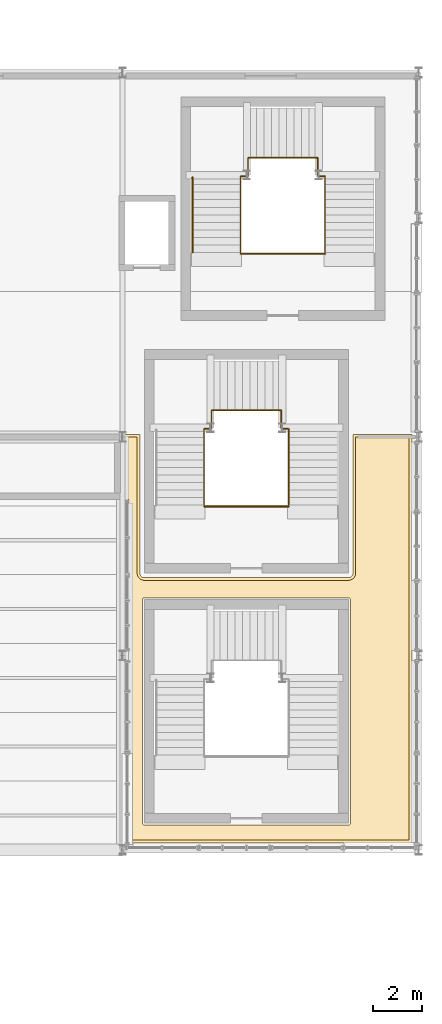
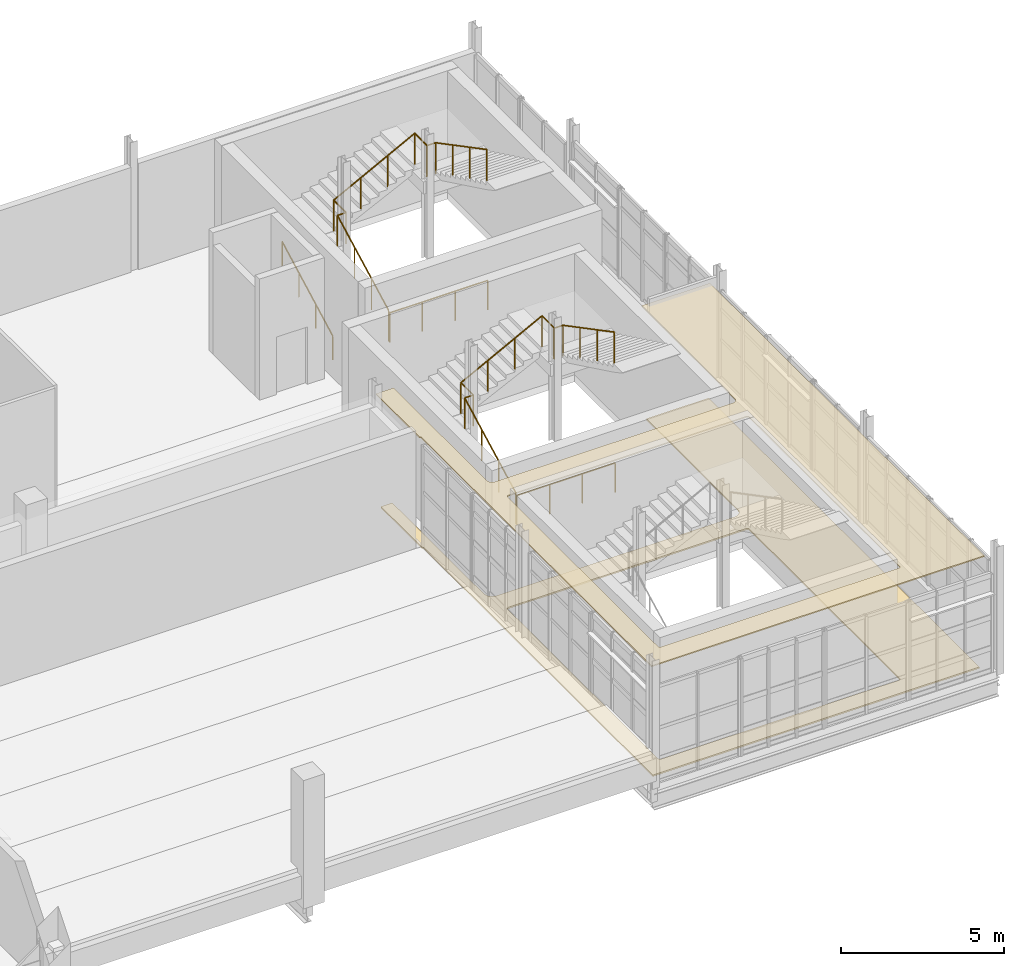
# One storey, part 100 of 100: 5 railings, 2 coverings.
"""IFC4 building model written with IfcOpenShell, lengths in metres."""

from ifc_helpers import new_model, si_unit, derived_unit, direction, frame, origin, origin_2d, place, context, subcontext, project, spatial, polyline, circle, outline, extrude, material, layer, layer_set, type_object, element, save


model = new_model("IFC4")

# Units and contexts
model_context = context("Model", 3, precision=1e-05, world=origin(), true_north=direction((0.0, 1.0)))
body_context = subcontext(model_context, "Body", "Model", "MODEL_VIEW")
ifc_project = project(units=[si_unit("LENGTHUNIT", "METRE"), si_unit("AREAUNIT", "SQUARE_METRE"), si_unit("VOLUMEUNIT", "CUBIC_METRE"), si_unit("PLANEANGLEUNIT", "RADIAN"), si_unit("MASSUNIT", "GRAM", prefix="KILO"), derived_unit("THERMALTRANSMITTANCEUNIT", [(si_unit("POWERUNIT", "WATT"), 1), (si_unit("LENGTHUNIT", "METRE"), -2), (si_unit("THERMODYNAMICTEMPERATUREUNIT", "KELVIN"), -1)])], contexts=[model_context])

# Site, building, storey
site_placement = place(None, origin())
site = spatial("IfcSite", under=ifc_project, at=site_placement, CompositionType="ELEMENT")
building_placement = place(site_placement, origin())
building = spatial("IfcBuilding", under=site, at=building_placement, Name="Nallur Shell Playhouse", CompositionType="ELEMENT")
storey_placement = place(building_placement, frame((0.0, 0.0, 10.199951171875)))
storey = spatial("IfcBuildingStorey", under=building, at=storey_placement, Name="L03", CompositionType="ELEMENT", Elevation=10.199951171875)

# Coverings
ifc_material_1 = material(Name="Micro-Perforated Teak Veneer Acoustic Baffle Ceiling")
ifc_layer_1 = layer(ifc_material_1, 0.044921875)
ifc_layer_set_1 = layer_set([ifc_layer_1], Name="Micro-Perforated Teak Veneer Acoustic Baffle Ceiling")
covering_type_1 = type_object("IfcCoveringType", Name="CV-CEIL-AC1", PredefinedType="CEILING", material=ifc_layer_set_1)
covering_1_placement = place(storey_placement, frame((0.0, 0.0, 4.205078125)))
element("IfcCovering", 1, at=covering_1_placement, inside=storey, type_object=covering_type_1, Name="Youth Drama & Playwriting Workshop suspended acoustic ceiling", PredefinedType="CEILING", context=body_context, shape_type="SweptSolid", body=[
    extrude(outline(polyline([(147.72314453125, 38.4189453125), (147.68994140625, 38.455810546875), (147.68994140625, 41.110107421875), (148.31005859375, 41.110107421875), (148.31005859375, 35.401123046875), (148.31005859375, 35.39892578125), (148.310791015625, 35.38330078125), (148.311279296875, 35.37890625), (148.313232421875, 35.364990234375), (148.314208984375, 35.36083984375), (148.3173828125, 35.347412109375), (148.31884765625, 35.34326171875), (148.323974609375, 35.3291015625), (148.325439453125, 35.324951171875), (148.33154296875, 35.312255859375), (148.33349609375, 35.308349609375), (148.3408203125, 35.29638671875), (148.34326171875, 35.292724609375), (148.351806640625, 35.28125), (148.354736328125, 35.277587890625), (148.3642578125, 35.26708984375), (148.3671875, 35.26416015625), (148.377685546875, 35.2548828125), (148.38134765625, 35.251953125), (148.392822265625, 35.2431640625), (148.396484375, 35.24072265625), (148.408447265625, 35.233642578125), (148.412353515625, 35.231689453125), (148.425048828125, 35.2255859375), (148.428955078125, 35.223876953125), (148.443115234375, 35.218994140625), (148.447509765625, 35.217529296875), (148.460693359375, 35.214111328125), (148.465087890625, 35.21337890625), (148.47900390625, 35.211181640625), (148.4833984375, 35.210693359375), (148.4990234375, 35.2099609375), (148.501220703125, 35.2099609375), (156.89892578125, 35.2099609375), (156.90087890625, 35.2099609375), (156.916748046875, 35.210693359375), (156.921142578125, 35.211181640625), (156.934814453125, 35.21337890625), (156.939208984375, 35.214111328125), (156.95263671875, 35.217529296875), (156.956787109375, 35.218994140625), (156.970947265625, 35.223876953125), (156.97509765625, 35.2255859375), (156.98779296875, 35.231689453125), (156.99169921875, 35.233642578125), (157.00341796875, 35.24072265625), (157.007080078125, 35.2431640625), (157.018798828125, 35.251953125), (157.022216796875, 35.2548828125), (157.03271484375, 35.26416015625), (157.035888671875, 35.26708984375), (157.045166015625, 35.277587890625), (157.048095703125, 35.28125), (157.056884765625, 35.292724609375), (157.05908203125, 35.29638671875), (157.06640625, 35.308349609375), (157.068359375, 35.312255859375), (157.074462890625, 35.324951171875), (157.076171875, 35.3291015625), (157.0810546875, 35.34326171875), (157.08251953125, 35.347412109375), (157.085693359375, 35.36083984375), (157.086669921875, 35.364990234375), (157.088623046875, 35.37890625), (157.089111328125, 35.38330078125), (157.090087890625, 35.39892578125), (157.090087890625, 35.401123046875), (157.090087890625, 41.110107421875), (159.510009765625, 41.110107421875), (159.510009765625, 24.2900390625), (147.72998046875, 24.2900390625), (147.72998046875, 38.397216796875), (147.729736328125, 38.40283203125), (147.729248046875, 38.406005859375), (147.728515625, 38.40869140625), (147.7275390625, 38.41162109375), (147.726318359375, 38.414306640625), (147.72509765625, 38.41650390625), (147.72314453125, 38.4189453125)]), holes=[polyline([(156.91552734375, 25.021484375), (156.923095703125, 25.0234375), (156.9306640625, 25.026123046875), (156.937744140625, 25.029296875), (156.9443359375, 25.033447265625), (156.95068359375, 25.0380859375), (156.95654296875, 25.04345703125), (156.9619140625, 25.04931640625), (156.966552734375, 25.0556640625), (156.970703125, 25.062255859375), (156.973876953125, 25.0693359375), (156.9765625, 25.076904296875), (156.978515625, 25.08447265625), (156.9794921875, 25.09228515625), (156.97998046875, 25.10009765625), (156.97998046875, 34.300048828125), (156.9794921875, 34.307861328125), (156.978515625, 34.315673828125), (156.9765625, 34.3232421875), (156.973876953125, 34.33056640625), (156.970703125, 34.337646484375), (156.966552734375, 34.344482421875), (156.9619140625, 34.350830078125), (156.95654296875, 34.356689453125), (156.95068359375, 34.36181640625), (156.9443359375, 34.366455078125), (156.937744140625, 34.37060546875), (156.9306640625, 34.373779296875), (156.923095703125, 34.376708984375), (156.91552734375, 34.37841796875), (156.90771484375, 34.379638671875), (156.89990234375, 34.3798828125), (148.5, 34.3798828125), (148.4921875, 34.379638671875), (148.484375, 34.37841796875), (148.476806640625, 34.376708984375), (148.469482421875, 34.373779296875), (148.46240234375, 34.37060546875), (148.45556640625, 34.366455078125), (148.44921875, 34.36181640625), (148.443359375, 34.356689453125), (148.438232421875, 34.350830078125), (148.43359375, 34.344482421875), (148.429443359375, 34.337646484375), (148.426025390625, 34.33056640625), (148.42333984375, 34.3232421875), (148.42138671875, 34.315673828125), (148.42041015625, 34.307861328125), (148.419921875, 34.300048828125), (148.419921875, 25.10009765625), (148.42041015625, 25.09228515625), (148.42138671875, 25.08447265625), (148.42333984375, 25.076904296875), (148.426025390625, 25.0693359375), (148.429443359375, 25.062255859375), (148.43359375, 25.0556640625), (148.438232421875, 25.04931640625), (148.443359375, 25.04345703125), (148.44921875, 25.0380859375), (148.45556640625, 25.033447265625), (148.46240234375, 25.029296875), (148.469482421875, 25.026123046875), (148.476806640625, 25.0234375), (148.484375, 25.021484375), (148.4921875, 25.0205078125), (148.5, 25.02001953125), (156.89990234375, 25.02001953125), (156.90771484375, 25.0205078125), (156.91552734375, 25.021484375)])]), origin(), (0.0, 0.0, 1.0), 0.044921875),
])
ifc_material_2 = material(Name="Sprung Semi-Resilient Stage & Dance Hardwood Flooring", Category="wood")
ifc_layer_2 = layer(ifc_material_2, 0.054931640625)
ifc_layer_set_2 = layer_set([ifc_layer_2], Name="Sprung Semi-Resilient Stage & Dance Hardwood Flooring")
covering_type_2 = type_object("IfcCoveringType", Name="CV-FLOR-TIMBER", PredefinedType="FLOORING", material=ifc_layer_set_2)
covering_2_placement = place(storey_placement, origin())
element("IfcCovering", 2, at=covering_2_placement, inside=storey, type_object=covering_type_2, Name="Youth Drama & Playwriting Workshop floor finish", PredefinedType="FLOORING", context=body_context, shape_type="SweptSolid", body=[
    extrude(outline(polyline([(147.80810546875, 38.48876953125), (147.800048828125, 38.497802734375), (147.800048828125, 41.0), (148.199951171875, 41.0), (148.199951171875, 35.39990234375), (148.2001953125, 35.39501953125), (148.201171875, 35.37548828125), (148.201904296875, 35.36572265625), (148.204833984375, 35.34619140625), (148.206787109375, 35.336669921875), (148.211669921875, 35.317626953125), (148.214599609375, 35.308349609375), (148.22119140625, 35.289794921875), (148.224853515625, 35.28076171875), (148.233154296875, 35.262939453125), (148.23779296875, 35.25439453125), (148.247802734375, 35.237548828125), (148.25341796875, 35.229248046875), (148.26513671875, 35.213623046875), (148.271240234375, 35.2060546875), (148.284423828125, 35.19140625), (148.29150390625, 35.1845703125), (148.305908203125, 35.17138671875), (148.313720703125, 35.1650390625), (148.329345703125, 35.1533203125), (148.33740234375, 35.14794921875), (148.354248046875, 35.1376953125), (148.363037109375, 35.13330078125), (148.380615234375, 35.124755859375), (148.389892578125, 35.12109375), (148.408203125, 35.114501953125), (148.41748046875, 35.111572265625), (148.436767578125, 35.106689453125), (148.4462890625, 35.10498046875), (148.4658203125, 35.10205078125), (148.4755859375, 35.10107421875), (148.4951171875, 35.10009765625), (148.5, 35.10009765625), (156.89990234375, 35.10009765625), (156.90478515625, 35.10009765625), (156.924560546875, 35.10107421875), (156.934326171875, 35.10205078125), (156.95361328125, 35.10498046875), (156.96337890625, 35.106689453125), (156.982421875, 35.111572265625), (156.99169921875, 35.114501953125), (157.01025390625, 35.12109375), (157.019287109375, 35.124755859375), (157.037109375, 35.13330078125), (157.045654296875, 35.1376953125), (157.0625, 35.14794921875), (157.07080078125, 35.1533203125), (157.08642578125, 35.1650390625), (157.093994140625, 35.17138671875), (157.108642578125, 35.1845703125), (157.115478515625, 35.19140625), (157.128662109375, 35.2060546875), (157.135009765625, 35.213623046875), (157.146484375, 35.229248046875), (157.152099609375, 35.237548828125), (157.162109375, 35.25439453125), (157.166748046875, 35.262939453125), (157.17529296875, 35.28076171875), (157.178955078125, 35.289794921875), (157.185546875, 35.308349609375), (157.1884765625, 35.317626953125), (157.193115234375, 35.336669921875), (157.195068359375, 35.34619140625), (157.197998046875, 35.36572265625), (157.198974609375, 35.37548828125), (157.199951171875, 35.39501953125), (157.199951171875, 35.39990234375), (157.199951171875, 41.0), (159.39990234375, 41.0), (159.39990234375, 24.39990234375), (147.840087890625, 24.39990234375), (147.840087890625, 38.39990234375), (147.83935546875, 38.413818359375), (147.83740234375, 38.42724609375), (147.833984375, 38.440673828125), (147.829345703125, 38.45361328125), (147.823486328125, 38.466064453125), (147.81640625, 38.477783203125), (147.80810546875, 38.48876953125)]), holes=[polyline([(156.91552734375, 25.021484375), (156.923095703125, 25.0234375), (156.9306640625, 25.026123046875), (156.937744140625, 25.029296875), (156.9443359375, 25.033447265625), (156.95068359375, 25.0380859375), (156.95654296875, 25.04345703125), (156.9619140625, 25.04931640625), (156.966552734375, 25.0556640625), (156.970703125, 25.062255859375), (156.973876953125, 25.0693359375), (156.9765625, 25.076904296875), (156.978515625, 25.08447265625), (156.9794921875, 25.09228515625), (156.97998046875, 25.10009765625), (156.97998046875, 34.300048828125), (156.9794921875, 34.307861328125), (156.978515625, 34.315673828125), (156.9765625, 34.3232421875), (156.973876953125, 34.33056640625), (156.970703125, 34.337646484375), (156.966552734375, 34.344482421875), (156.9619140625, 34.350830078125), (156.95654296875, 34.356689453125), (156.95068359375, 34.36181640625), (156.9443359375, 34.366455078125), (156.937744140625, 34.37060546875), (156.9306640625, 34.373779296875), (156.923095703125, 34.376708984375), (156.91552734375, 34.37841796875), (156.90771484375, 34.379638671875), (156.89990234375, 34.3798828125), (148.5, 34.3798828125), (148.4921875, 34.379638671875), (148.484375, 34.37841796875), (148.476806640625, 34.376708984375), (148.469482421875, 34.373779296875), (148.46240234375, 34.37060546875), (148.45556640625, 34.366455078125), (148.44921875, 34.36181640625), (148.443359375, 34.356689453125), (148.438232421875, 34.350830078125), (148.43359375, 34.344482421875), (148.429443359375, 34.337646484375), (148.426025390625, 34.33056640625), (148.42333984375, 34.3232421875), (148.42138671875, 34.315673828125), (148.42041015625, 34.307861328125), (148.419921875, 34.300048828125), (148.419921875, 25.10009765625), (148.42041015625, 25.09228515625), (148.42138671875, 25.08447265625), (148.42333984375, 25.076904296875), (148.426025390625, 25.0693359375), (148.429443359375, 25.062255859375), (148.43359375, 25.0556640625), (148.438232421875, 25.04931640625), (148.443359375, 25.04345703125), (148.44921875, 25.0380859375), (148.45556640625, 25.033447265625), (148.46240234375, 25.029296875), (148.469482421875, 25.026123046875), (148.476806640625, 25.0234375), (148.484375, 25.021484375), (148.4921875, 25.0205078125), (148.5, 25.02001953125), (156.89990234375, 25.02001953125), (156.90771484375, 25.0205078125), (156.91552734375, 25.021484375)])]), origin(), (0.0, 0.0, 1.0), 0.054931640625),
])

# Railings
ifc_material_3 = material(Name="Brushed Stainless Steel 316 Balustrade & Toughened Infill", Category="steel")
railing_type_1 = type_object("IfcRailingType", Name="RL-GUARD-1100", PredefinedType="BALUSTRADE", material=ifc_material_3)
railing_1_placement = place(storey_placement, frame((152.4599609375, 48.60009765625, 0.0)))
element("IfcRailing", 3, at=railing_1_placement, inside=storey, type_object=railing_type_1, Name="Stair ST-05-L03 inner open-well guard", PredefinedType="BALUSTRADE", context=body_context, shape_type="SweptSolid", body=[
    extrude(circle(Radius=0.02392578125, at=origin_2d()), frame((0.0, 0.0, 1.15576171875), z_axis=(0.0, 0.885200240898, 0.465210203579), x_axis=(-1.0, 0.0, 0.0)), (0.0, 0.0, 1.0), 3.547119140625),
    extrude(circle(Radius=0.02392578125, at=origin_2d()), frame((0.0, 3.139892578125, 2.80615234375), z_axis=(1.0, 0.0, 0.0), x_axis=(0.0, 1.0, 0.0)), (0.0, 0.0, 1.0), 0.304931640625),
    extrude(circle(Radius=0.02392578125, at=origin_2d()), frame((0.304931640625, 3.139892578125, 2.80615234375), z_axis=(0.0, 1.0, 0.0), x_axis=(-1.0, 0.0, 0.0)), (0.0, 0.0, 1.0), 0.760009765625),
    extrude(circle(Radius=0.02392578125, at=origin_2d()), frame((0.304931640625, 3.89990234375, 2.80615234375), z_axis=(0.886262018935, 0.0, 0.463184233101), x_axis=(0.0, 1.0, 0.0)), (0.0, 0.0, 1.0), 3.238525390625),
    extrude(circle(Radius=0.02392578125, at=origin_2d()), frame((3.175048828125, 3.89990234375, 4.30615234375), z_axis=(0.0, -1.0, 0.0), x_axis=(1.0, 0.0, 0.0)), (0.0, 0.0, 1.0), 0.760009765625),
    extrude(circle(Radius=0.02392578125, at=origin_2d()), frame((3.175048828125, 3.139892578125, 4.30615234375), z_axis=(1.0, 0.0, 0.0), x_axis=(0.0, 1.0, 0.0)), (0.0, 0.0, 1.0), 0.304931640625),
    extrude(circle(Radius=0.02392578125, at=origin_2d()), frame((3.47998046875, 3.139892578125, 4.30615234375), z_axis=(0.0, -0.885228583928, 0.465156268578), x_axis=(1.0, 0.0, 0.0)), (0.0, 0.0, 1.0), 3.546875),
    extrude(circle(Radius=0.02099609375, at=origin_2d()), origin(), (0.0, 0.0, 1.0), 1.1318359375),
    extrude(circle(Radius=0.02099609375, at=origin_2d()), frame((0.0, 1.046630859375, 0.550048828125)), (0.0, 0.0, 1.0), 1.1318359375),
    extrude(circle(Radius=0.02099609375, at=origin_2d()), frame((0.0, 2.09326171875, 1.10009765625)), (0.0, 0.0, 1.0), 1.1318359375),
    extrude(circle(Radius=0.02099609375, at=origin_2d()), frame((0.0, 3.139892578125, 1.650146484375)), (0.0, 0.0, 1.0), 1.1318359375),
    extrude(circle(Radius=0.02099609375, at=origin_2d()), frame((0.304931640625, 3.139892578125, 1.650146484375)), (0.0, 0.0, 1.0), 1.1318359375),
    extrude(circle(Radius=0.02099609375, at=origin_2d()), frame((0.304931640625, 3.89990234375, 1.650146484375)), (0.0, 0.0, 1.0), 1.1318359375),
    extrude(circle(Radius=0.02099609375, at=origin_2d()), frame((1.26171875, 3.89990234375, 2.150146484375)), (0.0, 0.0, 1.0), 1.1318359375),
    extrude(circle(Radius=0.02099609375, at=origin_2d()), frame((2.21826171875, 3.89990234375, 2.650146484375)), (0.0, 0.0, 1.0), 1.1318359375),
    extrude(circle(Radius=0.02099609375, at=origin_2d()), frame((3.175048828125, 3.89990234375, 3.150146484375)), (0.0, 0.0, 1.0), 1.1318359375),
    extrude(circle(Radius=0.02099609375, at=origin_2d()), frame((3.175048828125, 3.139892578125, 3.150146484375)), (0.0, 0.0, 1.0), 1.1318359375),
    extrude(circle(Radius=0.02099609375, at=origin_2d()), frame((3.47998046875, 3.139892578125, 3.150146484375)), (0.0, 0.0, 1.0), 1.1318359375),
    extrude(circle(Radius=0.02099609375, at=origin_2d()), frame((3.47998046875, 2.09326171875, 3.7001953125)), (0.0, 0.0, 1.0), 1.1318359375),
    extrude(circle(Radius=0.02099609375, at=origin_2d()), frame((3.47998046875, 1.046630859375, 4.25)), (0.0, 0.0, 1.0), 1.1318359375),
    extrude(circle(Radius=0.02099609375, at=origin_2d()), frame((3.47998046875, 0.0, 4.800048828125)), (0.0, 0.0, 1.0), 1.1318359375),
])
railing_2_placement = place(storey_placement, frame((152.4599609375, 48.5400390625, 0.0)))
element("IfcRailing", 4, at=railing_2_placement, inside=storey, type_object=railing_type_1, Name="Stair ST-05-L03 floor-well guard", PredefinedType="BALUSTRADE", context=body_context, shape_type="SweptSolid", body=[
    extrude(circle(Radius=0.02392578125, at=origin_2d()), frame((0.0, 0.0, 1.09619140625), z_axis=(1.0, 0.0, 0.0), x_axis=(0.0, 1.0, 0.0)), (0.0, 0.0, 1.0), 3.47998046875),
    extrude(circle(Radius=0.02099609375, at=origin_2d()), origin(), (0.0, 0.0, 1.0), 1.072021484375),
    extrude(circle(Radius=0.02099609375, at=origin_2d()), frame((1.159912109375, 0.0, 0.0)), (0.0, 0.0, 1.0), 1.072021484375),
    extrude(circle(Radius=0.02099609375, at=origin_2d()), frame((2.320068359375, 0.0, 0.0)), (0.0, 0.0, 1.0), 1.072021484375),
    extrude(circle(Radius=0.02099609375, at=origin_2d()), frame((3.47998046875, 0.0, 0.0)), (0.0, 0.0, 1.0), 1.072021484375),
])
railing_3_placement = place(storey_placement, frame((150.9599609375, 38.199951171875, 0.0)))
element("IfcRailing", 5, at=railing_3_placement, inside=storey, type_object=railing_type_1, Name="Stair ST-09-L03 inner open-well guard", PredefinedType="BALUSTRADE", context=body_context, shape_type="SweptSolid", body=[
    extrude(circle(Radius=0.02392578125, at=origin_2d()), frame((0.0, 0.0, 1.15576171875), z_axis=(0.0, 0.885215135385, 0.465181861302), x_axis=(-1.0, 0.0, 0.0)), (0.0, 0.0, 1.0), 3.54736328125),
    extrude(circle(Radius=0.02392578125, at=origin_2d()), frame((0.0, 3.14013671875, 2.80615234375), z_axis=(1.0, 0.0, 0.0), x_axis=(0.0, 1.0, 0.0)), (0.0, 0.0, 1.0), 0.304931640625),
    extrude(circle(Radius=0.02392578125, at=origin_2d()), frame((0.304931640625, 3.14013671875, 2.80615234375), z_axis=(0.0, 1.0, 0.0), x_axis=(-1.0, 0.0, 0.0)), (0.0, 0.0, 1.0), 0.760009765625),
    extrude(circle(Radius=0.02392578125, at=origin_2d()), frame((0.304931640625, 3.900146484375, 2.80615234375), z_axis=(0.886262018935, 0.0, 0.463184233101), x_axis=(0.0, 1.0, 0.0)), (0.0, 0.0, 1.0), 3.238525390625),
    extrude(circle(Radius=0.02392578125, at=origin_2d()), frame((3.175048828125, 3.900146484375, 4.30615234375), z_axis=(0.0, -1.0, 0.0), x_axis=(1.0, 0.0, 0.0)), (0.0, 0.0, 1.0), 0.760009765625),
    extrude(circle(Radius=0.02392578125, at=origin_2d()), frame((3.175048828125, 3.14013671875, 4.30615234375), z_axis=(1.0, 0.0, 0.0), x_axis=(0.0, 1.0, 0.0)), (0.0, 0.0, 1.0), 0.304931640625),
    extrude(circle(Radius=0.02392578125, at=origin_2d()), frame((3.47998046875, 3.14013671875, 4.30615234375), z_axis=(0.0, -0.885243475438, 0.465127927773), x_axis=(1.0, 0.0, 0.0)), (0.0, 0.0, 1.0), 3.547119140625),
    extrude(circle(Radius=0.02099609375, at=origin_2d()), origin(), (0.0, 0.0, 1.0), 1.1318359375),
    extrude(circle(Radius=0.02099609375, at=origin_2d()), frame((0.0, 1.046630859375, 0.550048828125)), (0.0, 0.0, 1.0), 1.1318359375),
    extrude(circle(Radius=0.02099609375, at=origin_2d()), frame((0.0, 2.093505859375, 1.10009765625)), (0.0, 0.0, 1.0), 1.1318359375),
    extrude(circle(Radius=0.02099609375, at=origin_2d()), frame((0.0, 3.14013671875, 1.650146484375)), (0.0, 0.0, 1.0), 1.1318359375),
    extrude(circle(Radius=0.02099609375, at=origin_2d()), frame((0.304931640625, 3.14013671875, 1.650146484375)), (0.0, 0.0, 1.0), 1.1318359375),
    extrude(circle(Radius=0.02099609375, at=origin_2d()), frame((0.304931640625, 3.900146484375, 1.650146484375)), (0.0, 0.0, 1.0), 1.1318359375),
    extrude(circle(Radius=0.02099609375, at=origin_2d()), frame((1.26171875, 3.900146484375, 2.150146484375)), (0.0, 0.0, 1.0), 1.1318359375),
    extrude(circle(Radius=0.02099609375, at=origin_2d()), frame((2.21826171875, 3.900146484375, 2.650146484375)), (0.0, 0.0, 1.0), 1.1318359375),
    extrude(circle(Radius=0.02099609375, at=origin_2d()), frame((3.175048828125, 3.900146484375, 3.150146484375)), (0.0, 0.0, 1.0), 1.1318359375),
    extrude(circle(Radius=0.02099609375, at=origin_2d()), frame((3.175048828125, 3.14013671875, 3.150146484375)), (0.0, 0.0, 1.0), 1.1318359375),
    extrude(circle(Radius=0.02099609375, at=origin_2d()), frame((3.47998046875, 3.14013671875, 3.150146484375)), (0.0, 0.0, 1.0), 1.1318359375),
    extrude(circle(Radius=0.02099609375, at=origin_2d()), frame((3.47998046875, 2.093505859375, 3.7001953125)), (0.0, 0.0, 1.0), 1.1318359375),
    extrude(circle(Radius=0.02099609375, at=origin_2d()), frame((3.47998046875, 1.046630859375, 4.25)), (0.0, 0.0, 1.0), 1.1318359375),
    extrude(circle(Radius=0.02099609375, at=origin_2d()), frame((3.47998046875, 0.0, 4.800048828125)), (0.0, 0.0, 1.0), 1.1318359375),
])
railing_4_placement = place(storey_placement, frame((150.9599609375, 38.139892578125, 0.0)))
element("IfcRailing", 6, at=railing_4_placement, inside=storey, type_object=railing_type_1, Name="Stair ST-09-L03 floor-well guard", PredefinedType="BALUSTRADE", context=body_context, shape_type="SweptSolid", body=[
    extrude(circle(Radius=0.02392578125, at=origin_2d()), frame((0.0, 0.0, 1.09619140625), z_axis=(1.0, 0.0, 0.0), x_axis=(0.0, 1.0, 0.0)), (0.0, 0.0, 1.0), 3.47998046875),
    extrude(circle(Radius=0.02099609375, at=origin_2d()), origin(), (0.0, 0.0, 1.0), 1.072021484375),
    extrude(circle(Radius=0.02099609375, at=origin_2d()), frame((1.159912109375, 0.0, 0.0)), (0.0, 0.0, 1.0), 1.072021484375),
    extrude(circle(Radius=0.02099609375, at=origin_2d()), frame((2.320068359375, 0.0, 0.0)), (0.0, 0.0, 1.0), 1.072021484375),
    extrude(circle(Radius=0.02099609375, at=origin_2d()), frame((3.47998046875, 0.0, 0.0)), (0.0, 0.0, 1.0), 1.072021484375),
])
ifc_material_4 = material(Name="Stainless Steel 316 Continuous Tubular Handrail", Category="steel")
railing_type_2 = type_object("IfcRailingType", Name="RL-HANDRAIL-900", PredefinedType="HANDRAIL", material=ifc_material_4)
railing_5_placement = place(storey_placement, frame((150.47998046875, 48.60009765625, 0.0)))
element("IfcRailing", 7, at=railing_5_placement, inside=storey, type_object=railing_type_2, Name="Stair ST-05-L03 outer handrail F1", PredefinedType="HANDRAIL", context=body_context, shape_type="SweptSolid", body=[
    extrude(circle(Radius=0.02392578125, at=origin_2d()), frame((0.0, 0.0, 0.89599609375), z_axis=(0.0, 0.882720248289, 0.469898886208), x_axis=(-1.0, 0.0, 0.0)), (0.0, 0.0, 1.0), 3.51171875),
    extrude(circle(Radius=0.02099609375, at=origin_2d()), origin(), (0.0, 0.0, 1.0), 0.871826171875),
    extrude(circle(Radius=0.02099609375, at=origin_2d()), frame((0.0, 1.033203125, 0.550048828125)), (0.0, 0.0, 1.0), 0.871826171875),
    extrude(circle(Radius=0.02099609375, at=origin_2d()), frame((0.0, 2.066650390625, 1.10009765625)), (0.0, 0.0, 1.0), 0.871826171875),
    extrude(circle(Radius=0.02099609375, at=origin_2d()), frame((0.0, 3.099853515625, 1.650146484375)), (0.0, 0.0, 1.0), 0.871826171875),
])

save(model, "model.ifc")
